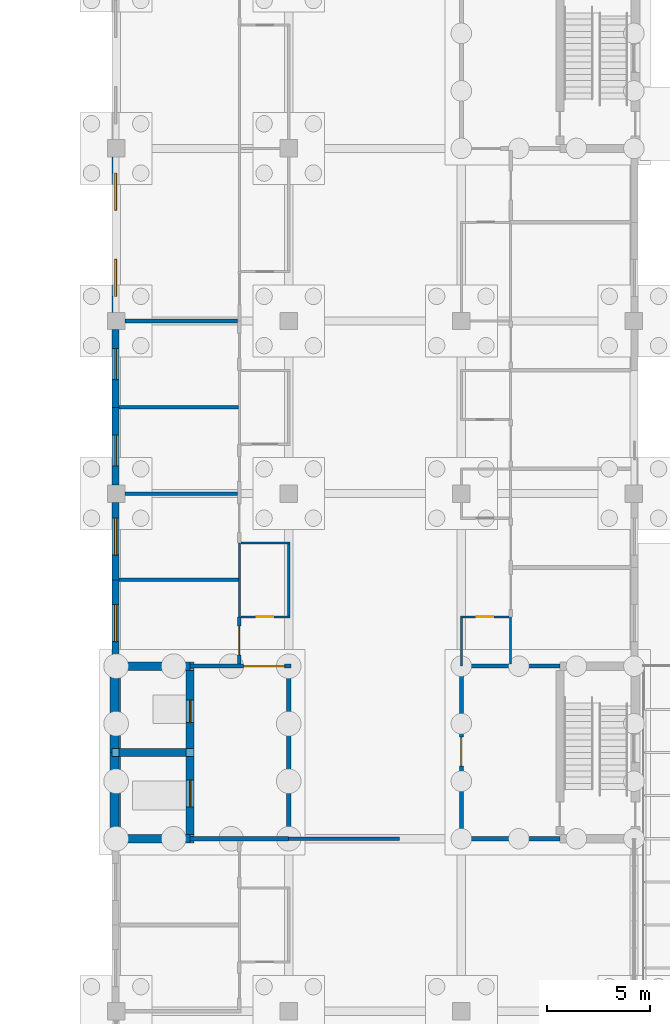
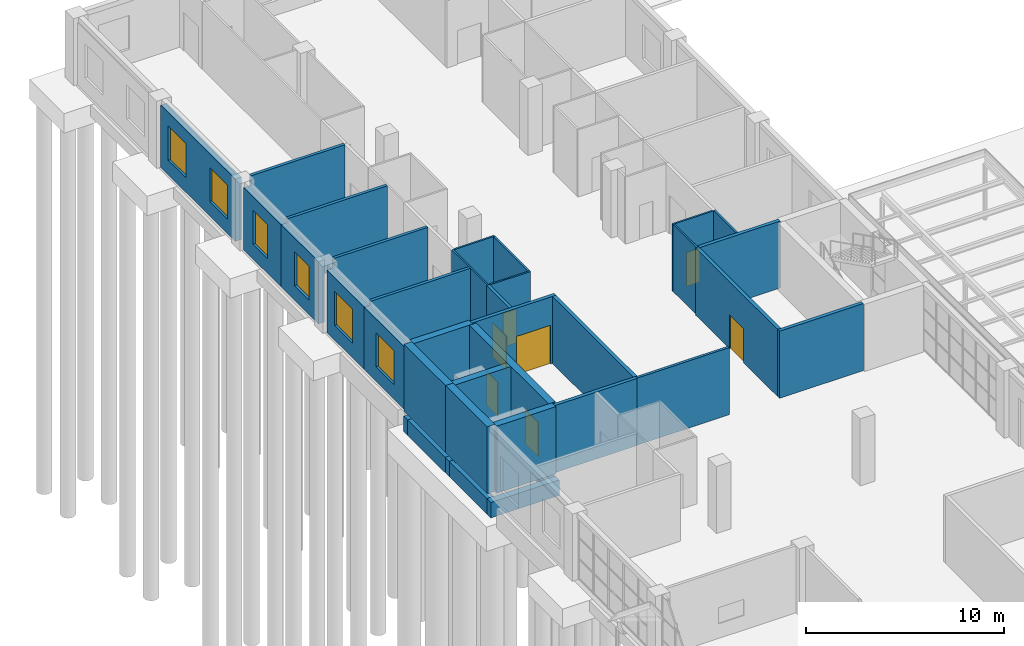
# One storey, part 118 of 138: 35 walls, 7 doors, 6 windows, 13 openings.
"""IFC4 building model written with IfcOpenShell, lengths in metres."""

from ifc_helpers import new_model, si_unit, direction, frame, frame_2d, origin, place, context, subcontext, project, spatial, rectangle, extrude, material, layer, layer_set, type_object, element, fill, save


model = new_model("IFC4")

# Units and contexts
model_context = context("Model", 3, precision=1e-05, world=origin(), true_north=direction((0.0, 1.0)))
body_context = subcontext(model_context, "Body", "Model", "MODEL_VIEW")
ifc_project = project(units=[si_unit("LENGTHUNIT", "METRE"), si_unit("AREAUNIT", "SQUARE_METRE"), si_unit("VOLUMEUNIT", "CUBIC_METRE"), si_unit("PLANEANGLEUNIT", "RADIAN"), si_unit("MASSUNIT", "GRAM", prefix="KILO")], contexts=[model_context])

# Site, building, storey
site_placement = place(None, origin())
site = spatial("IfcSite", under=ifc_project, at=site_placement, CompositionType="ELEMENT")
building_placement = place(site_placement, origin())
building = spatial("IfcBuilding", under=site, at=building_placement, Name="Yavir Park General Hospital", CompositionType="ELEMENT")
storey_placement = place(building_placement, origin())
storey = spatial("IfcBuildingStorey", under=building, at=storey_placement, Name="L00", CompositionType="ELEMENT", Elevation=0.0)

# Walls
ifc_material_1 = material(Name="Double-leaf gypsum board acoustic partition on staggered studs")
ifc_layer_1 = layer(ifc_material_1, 0.175048828125)
ifc_layer_set_1 = layer_set([ifc_layer_1], Name="Double-leaf gypsum board acoustic partition on staggered studs")
wall_type_1 = type_object("IfcWallType", Name="Acoustic partition 175", PredefinedType="PARTITIONING", material=ifc_layer_set_1)
wall_1_placement = place(storey_placement, frame((142.949951171875, 88.199951171875, 0.0), z_axis=(0.0, 0.0, 1.0), x_axis=(1.0, 0.0, 0.0)))
element("IfcWall", 1, at=wall_1_placement, inside=storey, type_object=wall_type_1, Name="AP175 L00-203", PredefinedType="PARTITIONING", context=body_context, shape_type="SweptSolid", body=[
    extrude(rectangle(XDim=5.800048828125, YDim=0.175048828125, at=frame_2d((2.89990234375, 0.0))), origin(), (0.0, 0.0, 1.0), 4.139892578125),
])
wall_2_placement = place(storey_placement, frame((143.22509765625, 92.39990234375, 0.0), z_axis=(0.0, 0.0, 1.0), x_axis=(1.0, 0.0, 0.0)))
element("IfcWall", 2, at=wall_2_placement, inside=storey, type_object=wall_type_1, Name="AP175 L00-212", PredefinedType="PARTITIONING", context=body_context, shape_type="SweptSolid", body=[
    extrude(rectangle(XDim=5.4873046875, YDim=0.175048828125, at=frame_2d((2.74365234375, 0.0))), origin(), (0.0, 0.0, 1.0), 4.139892578125),
])
wall_3_placement = place(storey_placement, frame((142.949951171875, 96.60009765625, 0.0), z_axis=(0.0, 0.0, 1.0), x_axis=(1.0, 0.0, 0.0)))
element("IfcWall", 3, at=wall_3_placement, inside=storey, type_object=wall_type_1, Name="AP175 L00-220", PredefinedType="PARTITIONING", context=body_context, shape_type="SweptSolid", body=[
    extrude(rectangle(XDim=5.800048828125, YDim=0.175048828125, at=frame_2d((2.89990234375, 0.0))), origin(), (0.0, 0.0, 1.0), 4.139892578125),
])
wall_4_placement = place(storey_placement, frame((143.22509765625, 100.800048828125, 0.0), z_axis=(0.0, 0.0, 1.0), x_axis=(1.0, 0.0, 0.0)))
element("IfcWall", 4, at=wall_4_placement, inside=storey, type_object=wall_type_1, Name="AP175 L00-230", PredefinedType="PARTITIONING", context=body_context, shape_type="SweptSolid", body=[
    extrude(rectangle(XDim=5.4873046875, YDim=0.175048828125, at=frame_2d((2.74365234375, 0.0))), origin(), (0.0, 0.0, 1.0), 4.139892578125),
])

# Wall, opening, door
wall_5_placement = place(storey_placement, frame((148.800048828125, 84.10009765625, 0.0), z_axis=(0.0, 0.0, 1.0), x_axis=(0.0, 1.0, 0.0)))
wall_5 = element("IfcWall", 5, at=wall_5_placement, inside=storey, type_object=wall_type_1, Name="AP175 L00-474", PredefinedType="PARTITIONING", context=body_context, shape_type="SweptSolid", body=[
    extrude(rectangle(XDim=2.2998046875, YDim=0.175048828125, at=frame_2d((1.14990234375, 0.0))), origin(), (0.0, 0.0, 1.0), 4.139892578125),
])
opening_1_placement = place(wall_5_placement, frame((0.449951171875, 0.0, 0.0)))
opening_1 = element("IfcOpeningElement", 6, at=opening_1_placement, cuts=wall_5, Name="Opening L00.D220", PredefinedType="OPENING", context=body_context, shape_type="SweptSolid", body=[
    extrude(rectangle(XDim=1.39990234375, YDim=2.10009765625, at=frame_2d((0.699951171875, 1.050048828125))), frame((0.0, 0.097412109375, 0.0), z_axis=(0.0, -1.0, 0.0), x_axis=(1.0, 0.0, 0.0)), (0.0, 0.0, 1.0), 0.195068359375),
])
ifc_material_2 = material(Name="Hollow metal frame, solid-core timber leaf", Category="wood")
door_type_1 = type_object("IfcDoorType", Name="Double swing door 1400 x 2100", OperationType="DOUBLE_DOOR_SINGLE_SWING", PredefinedType="DOOR", material=ifc_material_2)
door_1_placement = place(opening_1_placement, origin())
door_1 = element("IfcDoor", 7, at=door_1_placement, inside=storey, type_object=door_type_1, Name="L00.D220", OperationType="SINGLE_SWING_RIGHT", OverallHeight=2.10009765625, OverallWidth=1.39990234375, PredefinedType="DOOR", context=body_context, shape_type="SweptSolid", body=[
    extrude(rectangle(XDim=1.39990234375, YDim=2.10009765625, at=frame_2d((0.699951171875, 1.050048828125))), frame((0.0, 0.02490234375, 0.0), z_axis=(0.0, -1.0, 0.0), x_axis=(1.0, 0.0, 0.0)), (0.0, 0.0, 1.0), 0.050048828125),
])
fill(opening_1, door_1)

# Walls
ifc_material_3 = material(Name="Double gypsum board fire partition on steel studs", Category="steel")
ifc_layer_2 = layer(ifc_material_3, 0.199951171875)
ifc_layer_set_2 = layer_set([ifc_layer_2], Name="Double gypsum board fire partition on steel studs")
wall_type_2 = type_object("IfcWallType", Name="Fire-rated partition 200, EI 60", PredefinedType="PARTITIONING", material=ifc_layer_set_2)
wall_6_placement = place(storey_placement, frame((146.39990234375, 75.60009765625, 0.0), z_axis=(0.0, 0.0, 1.0), x_axis=(1.0, 0.0, 0.0)))
element("IfcWall", 8, at=wall_6_placement, inside=storey, type_object=wall_type_2, Name="FP20 L00-182", PredefinedType="PARTITIONING", context=body_context, shape_type="SweptSolid", body=[
    extrude(rectangle(XDim=4.800048828125, YDim=0.199951171875, at=frame_2d((2.39990234375, 0.0))), origin(), (0.0, 0.0, 1.0), 4.139892578125),
])
wall_7_placement = place(storey_placement, frame((159.5, 75.60009765625, 0.0), z_axis=(0.0, 0.0, 1.0), x_axis=(1.0, 0.0, 0.0)))
element("IfcWall", 9, at=wall_7_placement, inside=storey, type_object=wall_type_2, Name="FP20 L00-184", PredefinedType="PARTITIONING", context=body_context, shape_type="SweptSolid", body=[
    extrude(rectangle(XDim=4.89990234375, YDim=0.199951171875, at=frame_2d((2.449951171875, 0.0))), origin(), (0.0, 0.0, 1.0), 4.139892578125),
])

# Wall, opening, door
wall_8_placement = place(storey_placement, frame((146.39990234375, 84.0, 0.0), z_axis=(0.0, 0.0, 1.0), x_axis=(1.0, 0.0, 0.0)))
wall_8 = element("IfcWall", 10, at=wall_8_placement, inside=storey, type_object=wall_type_2, Name="FP20 L00-195", PredefinedType="PARTITIONING", context=body_context, shape_type="SweptSolid", body=[
    extrude(rectangle(XDim=4.900146484375, YDim=0.199951171875, at=frame_2d((2.4501953125, 0.0))), origin(), (0.0, 0.0, 1.0), 4.139892578125),
])
opening_2_placement = place(wall_8_placement, frame((2.60009765625, 0.0, 0.0)))
opening_2 = element("IfcOpeningElement", 11, at=opening_2_placement, cuts=wall_8, Name="Opening L00.D115", PredefinedType="OPENING", context=body_context, shape_type="SweptSolid", body=[
    extrude(rectangle(XDim=2.0, YDim=2.39990234375, at=frame_2d((1.0, 1.199951171875))), frame((0.0, 0.10986328125, 0.0), z_axis=(0.0, -1.0, 0.0), x_axis=(1.0, 0.0, 0.0)), (0.0, 0.0, 1.0), 0.219970703125),
])
ifc_material_4 = material(Name="Steel frame, fire-resisting leaves with vision panels", Category="steel")
door_type_2 = type_object("IfcDoorType", Name="Double fire door with vision panels 2000 x 2400, EI 60", OperationType="DOUBLE_DOOR_SINGLE_SWING", PredefinedType="DOOR", material=ifc_material_4)
door_2_placement = place(opening_2_placement, origin())
door_2 = element("IfcDoor", 12, at=door_2_placement, inside=storey, type_object=door_type_2, Name="L00.D115", OperationType="SINGLE_SWING_RIGHT", OverallHeight=2.39990234375, OverallWidth=2.0, PredefinedType="DOOR", context=body_context, shape_type="SweptSolid", body=[
    extrude(rectangle(XDim=2.0, YDim=2.39990234375, at=frame_2d((1.0, 1.199951171875))), frame((0.0, 0.030029296875, 0.0), z_axis=(0.0, -1.0, 0.0), x_axis=(1.0, 0.0, 0.0)), (0.0, 0.0, 1.0), 0.06005859375),
])
fill(opening_2, door_2)

# Walls
wall_9_placement = place(storey_placement, frame((159.699951171875, 84.0, 0.0), z_axis=(0.0, 0.0, 1.0), x_axis=(1.0, 0.0, 0.0)))
element("IfcWall", 13, at=wall_9_placement, inside=storey, type_object=wall_type_2, Name="FP20 L00-196", PredefinedType="PARTITIONING", context=body_context, shape_type="SweptSolid", body=[
    extrude(rectangle(XDim=4.699951171875, YDim=0.199951171875, at=frame_2d((2.35009765625, 0.0))), origin(), (0.0, 0.0, 1.0), 4.139892578125),
])
wall_10_placement = place(storey_placement, frame((151.199951171875, 75.699951171875, 0.0), z_axis=(0.0, 0.0, 1.0), x_axis=(0.0, 1.0, 0.0)))
element("IfcWall", 14, at=wall_10_placement, inside=storey, type_object=wall_type_2, Name="FP20 L00-490", PredefinedType="PARTITIONING", context=body_context, shape_type="SweptSolid", body=[
    extrude(rectangle(XDim=8.199951171875, YDim=0.199951171875, at=frame_2d((4.10009765625, 0.0))), origin(), (0.0, 0.0, 1.0), 4.139892578125),
])

# Wall, opening, door
wall_11_placement = place(storey_placement, frame((159.60009765625, 75.699951171875, 0.0), z_axis=(0.0, 0.0, 1.0), x_axis=(0.0, 1.0, 0.0)))
wall_11 = element("IfcWall", 15, at=wall_11_placement, inside=storey, type_object=wall_type_2, Name="FP20 L00-507", PredefinedType="PARTITIONING", context=body_context, shape_type="SweptSolid", body=[
    extrude(rectangle(XDim=8.300048828125, YDim=0.199951171875, at=frame_2d((4.14990234375, 0.0))), origin(), (0.0, 0.0, 1.0), 4.139892578125),
])
opening_3_placement = place(wall_11_placement, frame((3.449951171875, 0.0, 0.0)))
opening_3 = element("IfcOpeningElement", 16, at=opening_3_placement, cuts=wall_11, Name="Opening L00.D237", PredefinedType="OPENING", context=body_context, shape_type="SweptSolid", body=[
    extrude(rectangle(XDim=1.39990234375, YDim=2.10009765625, at=frame_2d((0.699951171875, 1.050048828125))), frame((0.0, 0.10986328125, 0.0), z_axis=(0.0, -1.0, 0.0), x_axis=(1.0, 0.0, 0.0)), (0.0, 0.0, 1.0), 0.219970703125),
])
ifc_material_5 = material(Name="Steel frame, fire-resisting leaves with vision panels", Category="steel")
door_type_3 = type_object("IfcDoorType", Name="Double fire door with vision panels 1400 x 2100, EI 60", OperationType="DOUBLE_DOOR_SINGLE_SWING", PredefinedType="DOOR", material=ifc_material_5)
door_3_placement = place(opening_3_placement, origin())
door_3 = element("IfcDoor", 17, at=door_3_placement, inside=storey, type_object=door_type_3, Name="L00.D237", OperationType="SINGLE_SWING_RIGHT", OverallHeight=2.10009765625, OverallWidth=1.39990234375, PredefinedType="DOOR", context=body_context, shape_type="SweptSolid", body=[
    extrude(rectangle(XDim=1.39990234375, YDim=2.10009765625, at=frame_2d((0.699951171875, 1.050048828125))), frame((0.0, 0.030029296875, 0.0), z_axis=(0.0, -1.0, 0.0), x_axis=(1.0, 0.0, 0.0)), (0.0, 0.0, 1.0), 0.06005859375),
])
fill(opening_3, door_3)

ifc_material_6 = material(Name="Gypsum board partition on steel studs", Category="steel")
ifc_layer_3 = layer(ifc_material_6, 0.10009765625)
ifc_layer_set_3 = layer_set([ifc_layer_3], Name="Gypsum board partition on steel studs")
wall_type_3 = type_object("IfcWallType", Name="Gypsum board partition 100", PredefinedType="PARTITIONING", material=ifc_layer_set_3)
wall_12_placement = place(storey_placement, frame((148.887451171875, 86.39990234375, 0.0), z_axis=(0.0, 0.0, 1.0), x_axis=(1.0, 0.0, 0.0)))
wall_12 = element("IfcWall", 18, at=wall_12_placement, inside=storey, type_object=wall_type_3, Name="P10 L00-200", PredefinedType="PARTITIONING", context=body_context, shape_type="SweptSolid", body=[
    extrude(rectangle(XDim=2.362548828125, YDim=0.10009765625, at=frame_2d((1.18115234375, 0.0))), origin(), (0.0, 0.0, 1.0), 4.139892578125),
])
opening_4_placement = place(wall_12_placement, frame((0.75634765625, 0.0, 0.0)))
opening_4 = element("IfcOpeningElement", 19, at=opening_4_placement, cuts=wall_12, Name="Opening L00.D116", PredefinedType="OPENING", context=body_context, shape_type="SweptSolid", body=[
    extrude(rectangle(XDim=0.800048828125, YDim=2.10009765625, at=frame_2d((0.39990234375, 1.050048828125))), frame((0.0, 0.06005859375, 0.0), z_axis=(0.0, -1.0, 0.0), x_axis=(1.0, 0.0, 0.0)), (0.0, 0.0, 1.0), 0.1201171875),
])
ifc_material_7 = material(Name="Timber frame, hollow-core leaf", Category="wood")
door_type_4 = type_object("IfcDoorType", Name="Light cupboard door 800 x 2100", OperationType="SINGLE_SWING_LEFT", PredefinedType="DOOR", material=ifc_material_7)
door_4_placement = place(opening_4_placement, origin())
door_4 = element("IfcDoor", 20, at=door_4_placement, inside=storey, type_object=door_type_4, Name="L00.D116", OperationType="SINGLE_SWING_LEFT", OverallHeight=2.10009765625, OverallWidth=0.800048828125, PredefinedType="DOOR", context=body_context, shape_type="SweptSolid", body=[
    extrude(rectangle(XDim=0.800048828125, YDim=2.10009765625, at=frame_2d((0.39990234375, 1.050048828125))), frame((0.0, 0.02001953125, 0.0), z_axis=(0.0, -1.0, 0.0), x_axis=(1.0, 0.0, 0.0)), (0.0, 0.0, 1.0), 0.0400390625),
])
fill(opening_4, door_4)

wall_13_placement = place(storey_placement, frame((159.550048828125, 86.39990234375, 0.0), z_axis=(0.0, 0.0, 1.0), x_axis=(1.0, 0.0, 0.0)))
wall_13 = element("IfcWall", 21, at=wall_13_placement, inside=storey, type_object=wall_type_3, Name="P10 L00-201", PredefinedType="PARTITIONING", context=body_context, shape_type="SweptSolid", body=[
    extrude(rectangle(XDim=2.362548828125, YDim=0.10009765625, at=frame_2d((1.18115234375, 0.0))), origin(), (0.0, 0.0, 1.0), 4.139892578125),
])
opening_5_placement = place(wall_13_placement, frame((0.80615234375, 0.0, 0.0)))
opening_5 = element("IfcOpeningElement", 22, at=opening_5_placement, cuts=wall_13, Name="Opening L00.D117", PredefinedType="OPENING", context=body_context, shape_type="SweptSolid", body=[
    extrude(rectangle(XDim=0.800048828125, YDim=2.10009765625, at=frame_2d((0.39990234375, 1.050048828125))), frame((0.0, 0.06005859375, 0.0), z_axis=(0.0, -1.0, 0.0), x_axis=(1.0, 0.0, 0.0)), (0.0, 0.0, 1.0), 0.1201171875),
])
door_5_placement = place(opening_5_placement, origin())
door_5 = element("IfcDoor", 23, at=door_5_placement, inside=storey, type_object=door_type_4, Name="L00.D117", OperationType="SINGLE_SWING_LEFT", OverallHeight=2.10009765625, OverallWidth=0.800048828125, PredefinedType="DOOR", context=body_context, shape_type="SweptSolid", body=[
    extrude(rectangle(XDim=0.800048828125, YDim=2.10009765625, at=frame_2d((0.39990234375, 1.050048828125))), frame((0.0, 0.02001953125, 0.0), z_axis=(0.0, -1.0, 0.0), x_axis=(1.0, 0.0, 0.0)), (0.0, 0.0, 1.0), 0.0400390625),
])
fill(opening_5, door_5)

# Walls
wall_14_placement = place(storey_placement, frame((148.887451171875, 90.0, 0.0), z_axis=(0.0, 0.0, 1.0), x_axis=(1.0, 0.0, 0.0)))
element("IfcWall", 24, at=wall_14_placement, inside=storey, type_object=wall_type_3, Name="P10 L00-205", PredefinedType="PARTITIONING", context=body_context, shape_type="SweptSolid", body=[
    extrude(rectangle(XDim=2.362548828125, YDim=0.10009765625, at=frame_2d((1.18115234375, 0.0))), origin(), (0.0, 0.0, 1.0), 4.139892578125),
])
wall_15_placement = place(storey_placement, frame((148.800048828125, 86.39990234375, 0.0), z_axis=(0.0, 0.0, 1.0), x_axis=(0.0, 1.0, 0.0)))
element("IfcWall", 25, at=wall_15_placement, inside=storey, type_object=wall_type_3, Name="P10 L00-475", PredefinedType="PARTITIONING", context=body_context, shape_type="SweptSolid", body=[
    extrude(rectangle(XDim=3.60009765625, YDim=0.10009765625, at=frame_2d((1.800048828125, 0.0))), origin(), (0.0, 0.0, 1.0), 4.139892578125),
])
wall_16_placement = place(storey_placement, frame((151.199951171875, 86.449951171875, 0.0), z_axis=(0.0, 0.0, 1.0), x_axis=(0.0, 1.0, 0.0)))
element("IfcWall", 26, at=wall_16_placement, inside=storey, type_object=wall_type_3, Name="P10 L00-491", PredefinedType="PARTITIONING", context=body_context, shape_type="SweptSolid", body=[
    extrude(rectangle(XDim=3.5, YDim=0.10009765625, at=frame_2d((1.75, 0.0))), origin(), (0.0, 0.0, 1.0), 4.139892578125),
])
wall_17_placement = place(storey_placement, frame((159.60009765625, 84.0, 0.0), z_axis=(0.0, 0.0, 1.0), x_axis=(0.0, 1.0, 0.0)))
element("IfcWall", 27, at=wall_17_placement, inside=storey, type_object=wall_type_3, Name="P10 L00-508", PredefinedType="PARTITIONING", context=body_context, shape_type="SweptSolid", body=[
    extrude(rectangle(XDim=2.35009765625, YDim=0.10009765625, at=frame_2d((1.175048828125, 0.0))), origin(), (0.0, 0.0, 1.0), 4.139892578125),
])
wall_18_placement = place(storey_placement, frame((162.0, 84.10009765625, 0.0), z_axis=(0.0, 0.0, 1.0), x_axis=(0.0, 1.0, 0.0)))
element("IfcWall", 28, at=wall_18_placement, inside=storey, type_object=wall_type_3, Name="P10 L00-518", PredefinedType="PARTITIONING", context=body_context, shape_type="SweptSolid", body=[
    extrude(rectangle(XDim=2.2998046875, YDim=0.10009765625, at=frame_2d((1.14990234375, 0.0))), origin(), (0.0, 0.0, 1.0), 4.139892578125),
])
ifc_material_8 = material(Name="Gypsum board partition on steel studs", Category="steel")
ifc_layer_4 = layer(ifc_material_8, 0.14990234375)
ifc_layer_set_4 = layer_set([ifc_layer_4], Name="Gypsum board partition on steel studs")
wall_type_4 = type_object("IfcWallType", Name="Gypsum board partition 150", PredefinedType="PARTITIONING", material=ifc_layer_set_4)
wall_19_placement = place(storey_placement, frame((151.199951171875, 75.60009765625, 0.0), z_axis=(0.0, 0.0, 1.0), x_axis=(1.0, 0.0, 0.0)))
element("IfcWall", 29, at=wall_19_placement, inside=storey, type_object=wall_type_4, Name="P15 L00-183", PredefinedType="PARTITIONING", context=body_context, shape_type="SweptSolid", body=[
    extrude(rectangle(XDim=5.400146484375, YDim=0.14990234375, at=frame_2d((2.7001953125, 0.0))), origin(), (0.0, 0.0, 1.0), 4.139892578125),
])

# Wall, opening, window
ifc_material_9 = material(Name="Concrete C30/37 precast panel with 120 mm mineral wool insulation", Category="concrete")
ifc_layer_5 = layer(ifc_material_9, 0.35009765625)
ifc_layer_set_5 = layer_set([ifc_layer_5], Name="Concrete C30/37 precast panel with 120 mm mineral wool insulation")
wall_type_5 = type_object("IfcWallType", Name="Precast cladding panel podium wall 350, E 30", PredefinedType="SOLIDWALL", material=ifc_layer_set_5)
wall_20_placement = place(storey_placement, frame((142.77490234375, 84.0, 0.0), z_axis=(0.0, 0.0, 1.0), x_axis=(0.0, 1.0, 0.0)))
wall_20 = element("IfcWall", 30, at=wall_20_placement, inside=storey, type_object=wall_type_5, Name="XW2 L00-165", PredefinedType="SOLIDWALL", context=body_context, shape_type="SweptSolid", body=[
    extrude(rectangle(XDim=4.199951171875, YDim=0.35009765625, at=frame_2d((2.10009765625, 0.0))), origin(), (0.0, 0.0, 1.0), 3.840087890625),
])
opening_6_placement = place(wall_20_placement, frame((1.199951171875, 0.0, 0.89990234375)))
opening_6 = element("IfcOpeningElement", 31, at=opening_6_placement, cuts=wall_20, Name="Opening WS2", PredefinedType="OPENING", context=body_context, shape_type="SweptSolid", body=[
    extrude(rectangle(XDim=1.800048828125, YDim=2.10009765625, at=frame_2d((0.89990234375, 1.050048828125))), frame((0.0, 0.18505859375, 0.0), z_axis=(0.0, -1.0, 0.0), x_axis=(1.0, 0.0, 0.0)), (0.0, 0.0, 1.0), 0.3701171875),
])
ifc_material_10 = material(Name="Aluminium frame, impact-resistant glazed unit", Category="aluminium")
window_type_1 = type_object("IfcWindowType", Name="Tall emergency department window, impact glazing 1800 x 2100", PartitioningType="SINGLE_PANEL", PredefinedType="WINDOW", material=ifc_material_10)
window_1_placement = place(opening_6_placement, origin())
window_1 = element("IfcWindow", 32, at=window_1_placement, inside=storey, type_object=window_type_1, Name="WS2 L00-067", OverallHeight=2.10009765625, OverallWidth=1.800048828125, PartitioningType="SINGLE_PANEL", PredefinedType="WINDOW", context=body_context, shape_type="SweptSolid", body=[
    extrude(rectangle(XDim=1.800048828125, YDim=2.10009765625, at=frame_2d((0.89990234375, 1.050048828125))), frame((0.0, 0.044921875, 0.0), z_axis=(0.0, -1.0, 0.0), x_axis=(1.0, 0.0, 0.0)), (0.0, 0.0, 1.0), 0.090087890625),
])
fill(opening_6, window_1)

wall_21_placement = place(storey_placement, frame((142.77490234375, 88.199951171875, 0.0), z_axis=(0.0, 0.0, 1.0), x_axis=(0.0, 1.0, 0.0)))
wall_21 = element("IfcWall", 33, at=wall_21_placement, inside=storey, type_object=wall_type_5, Name="XW2 L00-166", PredefinedType="SOLIDWALL", context=body_context, shape_type="SweptSolid", body=[
    extrude(rectangle(XDim=3.775146484375, YDim=0.35009765625, at=frame_2d((1.8876953125, 0.0))), origin(), (0.0, 0.0, 1.0), 3.840087890625),
])
opening_7_placement = place(wall_21_placement, frame((1.199951171875, 0.0, 0.89990234375)))
opening_7 = element("IfcOpeningElement", 34, at=opening_7_placement, cuts=wall_21, Name="Opening WS2", PredefinedType="OPENING", context=body_context, shape_type="SweptSolid", body=[
    extrude(rectangle(XDim=1.800048828125, YDim=2.10009765625, at=frame_2d((0.89990234375, 1.050048828125))), frame((0.0, 0.18505859375, 0.0), z_axis=(0.0, -1.0, 0.0), x_axis=(1.0, 0.0, 0.0)), (0.0, 0.0, 1.0), 0.3701171875),
])
window_2_placement = place(opening_7_placement, origin())
window_2 = element("IfcWindow", 35, at=window_2_placement, inside=storey, type_object=window_type_1, Name="WS2 L00-068", OverallHeight=2.10009765625, OverallWidth=1.800048828125, PartitioningType="SINGLE_PANEL", PredefinedType="WINDOW", context=body_context, shape_type="SweptSolid", body=[
    extrude(rectangle(XDim=1.800048828125, YDim=2.10009765625, at=frame_2d((0.89990234375, 1.050048828125))), frame((0.0, 0.044921875, 0.0), z_axis=(0.0, -1.0, 0.0), x_axis=(1.0, 0.0, 0.0)), (0.0, 0.0, 1.0), 0.090087890625),
])
fill(opening_7, window_2)

wall_22_placement = place(storey_placement, frame((142.77490234375, 92.824951171875, 0.0), z_axis=(0.0, 0.0, 1.0), x_axis=(0.0, 1.0, 0.0)))
wall_22 = element("IfcWall", 36, at=wall_22_placement, inside=storey, type_object=wall_type_5, Name="XW2 L00-167", PredefinedType="SOLIDWALL", context=body_context, shape_type="SweptSolid", body=[
    extrude(rectangle(XDim=3.775146484375, YDim=0.35009765625, at=frame_2d((1.8876953125, 0.0))), origin(), (0.0, 0.0, 1.0), 3.840087890625),
])
opening_8_placement = place(wall_22_placement, frame((0.925048828125, 0.0, 0.89990234375)))
opening_8 = element("IfcOpeningElement", 37, at=opening_8_placement, cuts=wall_22, Name="Opening WC2", PredefinedType="OPENING", context=body_context, shape_type="SweptSolid", body=[
    extrude(rectangle(XDim=1.5, YDim=2.10009765625, at=frame_2d((0.75, 1.050048828125))), frame((0.0, 0.18505859375, 0.0), z_axis=(0.0, -1.0, 0.0), x_axis=(1.0, 0.0, 0.0)), (0.0, 0.0, 1.0), 0.3701171875),
])
ifc_material_11 = material(Name="Aluminium frame, double glazed unit", Category="aluminium")
window_type_2 = type_object("IfcWindowType", Name="Tall consulting room window 1500 x 2100", PartitioningType="SINGLE_PANEL", PredefinedType="WINDOW", material=ifc_material_11)
window_3_placement = place(opening_8_placement, origin())
window_3 = element("IfcWindow", 38, at=window_3_placement, inside=storey, type_object=window_type_2, Name="WC2 L00-069", OverallHeight=2.10009765625, OverallWidth=1.5, PartitioningType="SINGLE_PANEL", PredefinedType="WINDOW", context=body_context, shape_type="SweptSolid", body=[
    extrude(rectangle(XDim=1.5, YDim=2.10009765625, at=frame_2d((0.75, 1.050048828125))), frame((0.0, 0.030029296875, 0.0), z_axis=(0.0, -1.0, 0.0), x_axis=(1.0, 0.0, 0.0)), (0.0, 0.0, 1.0), 0.06005859375),
])
fill(opening_8, window_3)

wall_23_placement = place(storey_placement, frame((142.77490234375, 96.60009765625, 0.0), z_axis=(0.0, 0.0, 1.0), x_axis=(0.0, 1.0, 0.0)))
wall_23 = element("IfcWall", 39, at=wall_23_placement, inside=storey, type_object=wall_type_5, Name="XW2 L00-168", PredefinedType="SOLIDWALL", context=body_context, shape_type="SweptSolid", body=[
    extrude(rectangle(XDim=3.77490234375, YDim=0.35009765625, at=frame_2d((1.887451171875, 0.0))), origin(), (0.0, 0.0, 1.0), 3.840087890625),
])
opening_9_placement = place(wall_23_placement, frame((1.35009765625, 0.0, 0.89990234375)))
opening_9 = element("IfcOpeningElement", 40, at=opening_9_placement, cuts=wall_23, Name="Opening WC2", PredefinedType="OPENING", context=body_context, shape_type="SweptSolid", body=[
    extrude(rectangle(XDim=1.5, YDim=2.10009765625, at=frame_2d((0.75, 1.050048828125))), frame((0.0, 0.18505859375, 0.0), z_axis=(0.0, -1.0, 0.0), x_axis=(1.0, 0.0, 0.0)), (0.0, 0.0, 1.0), 0.3701171875),
])
window_4_placement = place(opening_9_placement, origin())
window_4 = element("IfcWindow", 41, at=window_4_placement, inside=storey, type_object=window_type_2, Name="WC2 L00-070", OverallHeight=2.10009765625, OverallWidth=1.5, PartitioningType="SINGLE_PANEL", PredefinedType="WINDOW", context=body_context, shape_type="SweptSolid", body=[
    extrude(rectangle(XDim=1.5, YDim=2.10009765625, at=frame_2d((0.75, 1.050048828125))), frame((0.0, 0.030029296875, 0.0), z_axis=(0.0, -1.0, 0.0), x_axis=(1.0, 0.0, 0.0)), (0.0, 0.0, 1.0), 0.06005859375),
])
fill(opening_9, window_4)

# Wall, openings, windows
wall_24_placement = place(storey_placement, frame((142.77490234375, 101.22509765625, 0.0), z_axis=(0.0, 0.0, 1.0), x_axis=(0.0, 1.0, 0.0)))
wall_24 = element("IfcWall", 42, at=wall_24_placement, inside=storey, type_object=wall_type_5, Name="XW2 L00-169", PredefinedType="SOLIDWALL", context=body_context, shape_type="SweptSolid", body=[
    extrude(rectangle(XDim=7.5498046875, YDim=0.35009765625, at=frame_2d((3.77490234375, 0.0))), origin(), (0.0, 0.0, 1.0), 3.840087890625),
])
opening_10_placement = place(wall_24_placement, frame((0.77490234375, 0.0, 0.89990234375)))
opening_10 = element("IfcOpeningElement", 43, at=opening_10_placement, cuts=wall_24, Name="Opening WS2", PredefinedType="OPENING", context=body_context, shape_type="SweptSolid", body=[
    extrude(rectangle(XDim=1.800048828125, YDim=2.10009765625, at=frame_2d((0.89990234375, 1.050048828125))), frame((0.0, 0.18505859375, 0.0), z_axis=(0.0, -1.0, 0.0), x_axis=(1.0, 0.0, 0.0)), (0.0, 0.0, 1.0), 0.3701171875),
])
opening_11_placement = place(wall_24_placement, frame((4.97509765625, 0.0, 0.89990234375)))
opening_11 = element("IfcOpeningElement", 44, at=opening_11_placement, cuts=wall_24, Name="Opening WS2", PredefinedType="OPENING", context=body_context, shape_type="SweptSolid", body=[
    extrude(rectangle(XDim=1.800048828125, YDim=2.10009765625, at=frame_2d((0.89990234375, 1.050048828125))), frame((0.0, 0.18505859375, 0.0), z_axis=(0.0, -1.0, 0.0), x_axis=(1.0, 0.0, 0.0)), (0.0, 0.0, 1.0), 0.3701171875),
])
window_5_placement = place(opening_10_placement, origin())
window_5 = element("IfcWindow", 45, at=window_5_placement, inside=storey, type_object=window_type_1, Name="WS2 L00-071", OverallHeight=2.10009765625, OverallWidth=1.800048828125, PartitioningType="SINGLE_PANEL", PredefinedType="WINDOW", context=body_context, shape_type="SweptSolid", body=[
    extrude(rectangle(XDim=1.800048828125, YDim=2.10009765625, at=frame_2d((0.89990234375, 1.050048828125))), frame((0.0, 0.044921875, 0.0), z_axis=(0.0, -1.0, 0.0), x_axis=(1.0, 0.0, 0.0)), (0.0, 0.0, 1.0), 0.090087890625),
])
fill(opening_10, window_5)
window_6_placement = place(opening_11_placement, origin())
window_6 = element("IfcWindow", 46, at=window_6_placement, inside=storey, type_object=window_type_1, Name="WS2 L00-072", OverallHeight=2.10009765625, OverallWidth=1.800048828125, PartitioningType="SINGLE_PANEL", PredefinedType="WINDOW", context=body_context, shape_type="SweptSolid", body=[
    extrude(rectangle(XDim=1.800048828125, YDim=2.10009765625, at=frame_2d((0.89990234375, 1.050048828125))), frame((0.0, 0.044921875, 0.0), z_axis=(0.0, -1.0, 0.0), x_axis=(1.0, 0.0, 0.0)), (0.0, 0.0, 1.0), 0.090087890625),
])
fill(opening_11, window_6)

# Walls
ifc_material_12 = material(Name="Concrete C35/45", Category="concrete")
ifc_layer_6 = layer(ifc_material_12, 0.39990234375)
ifc_layer_set_6 = layer_set([ifc_layer_6], Name="Concrete C35/45")
wall_type_6 = type_object("IfcWallType", Name="RC WALL LIFT PIT 400", PredefinedType="SOLIDWALL", material=ifc_layer_set_6)
for number, where, z_axis, x_axis, name in (
    (47, (142.60009765625, 75.60009765625, -1.39990234375), (0.0, 0.0, 1.0), (1.0, 0.0, 0.0), "W:PIT:HL:0"),
    (48, (142.60009765625, 79.800048828125, -1.39990234375), (0.0, 0.0, 1.0), (1.0, 0.0, 0.0), "W:PIT:HL:1"),
    (49, (142.60009765625, 84.0, -1.39990234375), (0.0, 0.0, 1.0), (1.0, 0.0, 0.0), "W:PIT:HL:2"),
):
    element("IfcWall", number, at=place(storey_placement, frame(where, z_axis=z_axis, x_axis=x_axis)), inside=storey, type_object=wall_type_6, Name=name, PredefinedType="SOLIDWALL", context=body_context, shape_type="SweptSolid", body=[
        extrude(rectangle(XDim=4.0, YDim=0.39990234375, at=frame_2d((2.0, 0.0))), origin(), (0.0, 0.0, 1.0), 0.949951171875),
    ])
for number, where, z_axis, x_axis, name in (
    (50, (142.800048828125, 75.800048828125, -1.39990234375), (0.0, 0.0, 1.0), (0.0, 1.0, 0.0), "W:PIT:HL:3"),
    (51, (146.39990234375, 75.800048828125, -1.39990234375), (0.0, 0.0, 1.0), (0.0, 1.0, 0.0), "W:PIT:HL:4"),
):
    element("IfcWall", number, at=place(storey_placement, frame(where, z_axis=z_axis, x_axis=x_axis)), inside=storey, type_object=wall_type_6, Name=name, PredefinedType="SOLIDWALL", context=body_context, shape_type="SweptSolid", body=[
        extrude(rectangle(XDim=8.0, YDim=0.39990234375, at=frame_2d((4.0, 0.0))), origin(), (0.0, 0.0, 1.0), 0.949951171875),
    ])
ifc_material_13 = material(Name="Concrete C35/45", Category="concrete")
ifc_layer_7 = layer(ifc_material_13, 0.39990234375)
ifc_layer_set_7 = layer_set([ifc_layer_7], Name="Concrete C35/45")
wall_type_7 = type_object("IfcWallType", Name="Reinforced concrete core wall 400, REI 150", PredefinedType="SHEAR", material=ifc_layer_set_7)
wall_25_placement = place(storey_placement, frame((142.949951171875, 75.60009765625, 0.0), z_axis=(0.0, 0.0, 1.0), x_axis=(1.0, 0.0, 0.0)))
element("IfcWall", 52, at=wall_25_placement, inside=storey, type_object=wall_type_7, Name="CW40 L00-181", PredefinedType="SHEAR", context=body_context, shape_type="SweptSolid", body=[
    extrude(rectangle(XDim=3.449951171875, YDim=0.39990234375, at=frame_2d((1.72509765625, 0.0))), origin(), (0.0, 0.0, 1.0), 4.139892578125),
])
wall_26_placement = place(storey_placement, frame((142.949951171875, 79.800048828125, 0.0), z_axis=(0.0, 0.0, 1.0), x_axis=(1.0, 0.0, 0.0)))
element("IfcWall", 53, at=wall_26_placement, inside=storey, type_object=wall_type_7, Name="CW40 L00-188", PredefinedType="SHEAR", context=body_context, shape_type="SweptSolid", body=[
    extrude(rectangle(XDim=3.25, YDim=0.39990234375, at=frame_2d((1.625, 0.0))), origin(), (0.0, 0.0, 1.0), 4.139892578125),
])
wall_27_placement = place(storey_placement, frame((142.949951171875, 84.0, 0.0), z_axis=(0.0, 0.0, 1.0), x_axis=(1.0, 0.0, 0.0)))
element("IfcWall", 54, at=wall_27_placement, inside=storey, type_object=wall_type_7, Name="CW40 L00-194", PredefinedType="SHEAR", context=body_context, shape_type="SweptSolid", body=[
    extrude(rectangle(XDim=3.449951171875, YDim=0.39990234375, at=frame_2d((1.72509765625, 0.0))), origin(), (0.0, 0.0, 1.0), 4.139892578125),
])

# Wall, openings, doors
wall_28_placement = place(storey_placement, frame((146.39990234375, 75.800048828125, 0.0), z_axis=(0.0, 0.0, 1.0), x_axis=(0.0, 1.0, 0.0)))
wall_28 = element("IfcWall", 55, at=wall_28_placement, inside=storey, type_object=wall_type_7, Name="CW40 L00-469", PredefinedType="SHEAR", context=body_context, shape_type="SweptSolid", body=[
    extrude(rectangle(XDim=8.0, YDim=0.39990234375, at=frame_2d((4.0, 0.0))), origin(), (0.0, 0.0, 1.0), 4.139892578125),
])
opening_12_placement = place(wall_28_placement, frame((1.35009765625, 0.0, 0.0)))
opening_12 = element("IfcOpeningElement", 56, at=opening_12_placement, cuts=wall_28, Name="Opening L00.D215", PredefinedType="OPENING", context=body_context, shape_type="SweptSolid", body=[
    extrude(rectangle(XDim=1.300048828125, YDim=2.10009765625, at=frame_2d((0.64990234375, 1.050048828125))), frame((0.0, 0.2099609375, 0.0), z_axis=(0.0, -1.0, 0.0), x_axis=(1.0, 0.0, 0.0)), (0.0, 0.0, 1.0), 0.419921875),
])
opening_13_placement = place(wall_28_placement, frame((5.449951171875, 0.0, 0.0)))
opening_13 = element("IfcOpeningElement", 57, at=opening_13_placement, cuts=wall_28, Name="Opening L00.D216", PredefinedType="OPENING", context=body_context, shape_type="SweptSolid", body=[
    extrude(rectangle(XDim=1.10009765625, YDim=2.10009765625, at=frame_2d((0.550048828125, 1.050048828125))), frame((0.0, 0.2099609375, 0.0), z_axis=(0.0, -1.0, 0.0), x_axis=(1.0, 0.0, 0.0)), (0.0, 0.0, 1.0), 0.419921875),
])
ifc_material_14 = material(Name="Stainless steel landing door panels", Category="steel")
door_type_5 = type_object("IfcDoorType", Name="Lift landing door 1100 x 2100, EI 60", OperationType="SLIDING_TO_LEFT", PredefinedType="DOOR", material=ifc_material_14)
door_6_placement = place(opening_13_placement, origin())
door_6 = element("IfcDoor", 58, at=door_6_placement, inside=storey, type_object=door_type_5, Name="L00.D216", OperationType="SLIDING_TO_LEFT", OverallHeight=2.10009765625, OverallWidth=1.10009765625, PredefinedType="DOOR", context=body_context, shape_type="SweptSolid", body=[
    extrude(rectangle(XDim=1.10009765625, YDim=2.10009765625, at=frame_2d((0.550048828125, 1.050048828125))), frame((0.0, 0.02490234375, 0.0), z_axis=(0.0, -1.0, 0.0), x_axis=(1.0, 0.0, 0.0)), (0.0, 0.0, 1.0), 0.050048828125),
])
fill(opening_13, door_6)
ifc_material_15 = material(Name="Stainless steel landing door panels", Category="steel")
door_type_6 = type_object("IfcDoorType", Name="Lift landing door 1300 x 2100, EI 60", OperationType="SLIDING_TO_LEFT", PredefinedType="DOOR", material=ifc_material_15)
door_7_placement = place(opening_12_placement, origin())
door_7 = element("IfcDoor", 59, at=door_7_placement, inside=storey, type_object=door_type_6, Name="L00.D215", OperationType="SLIDING_TO_LEFT", OverallHeight=2.10009765625, OverallWidth=1.300048828125, PredefinedType="DOOR", context=body_context, shape_type="SweptSolid", body=[
    extrude(rectangle(XDim=1.300048828125, YDim=2.10009765625, at=frame_2d((0.64990234375, 1.050048828125))), frame((0.0, 0.02490234375, 0.0), z_axis=(0.0, -1.0, 0.0), x_axis=(1.0, 0.0, 0.0)), (0.0, 0.0, 1.0), 0.050048828125),
])
fill(opening_12, door_7)

# Walls
ifc_material_16 = material(Name="Concrete C30/37 precast panel with 150 mm mineral wool insulation", Category="concrete")
ifc_layer_8 = layer(ifc_material_16, 0.449951171875)
ifc_layer_set_8 = layer_set([ifc_layer_8], Name="Concrete C30/37 precast panel with 150 mm mineral wool insulation")
wall_type_8 = type_object("IfcWallType", Name="Stair enclosure wall 450, REI 150", PredefinedType="SOLIDWALL", material=ifc_layer_set_8)
for number, where, z_axis, x_axis, name in (
    (60, (142.72509765625, 75.60009765625, 0.0), (0.0, 0.0, 1.0), (0.0, 1.0, 0.0), "XW6 L00-163"),
    (61, (142.72509765625, 79.800048828125, 0.0), (0.0, 0.0, 1.0), (0.0, 1.0, 0.0), "XW6 L00-164"),
):
    element("IfcWall", number, at=place(storey_placement, frame(where, z_axis=z_axis, x_axis=x_axis)), inside=storey, type_object=wall_type_8, Name=name, PredefinedType="SOLIDWALL", context=body_context, shape_type="SweptSolid", body=[
        extrude(rectangle(XDim=4.199951171875, YDim=0.449951171875, at=frame_2d((2.10009765625, 0.0))), origin(), (0.0, 0.0, 1.0), 4.139892578125),
    ])

save(model, "model.ifc")
